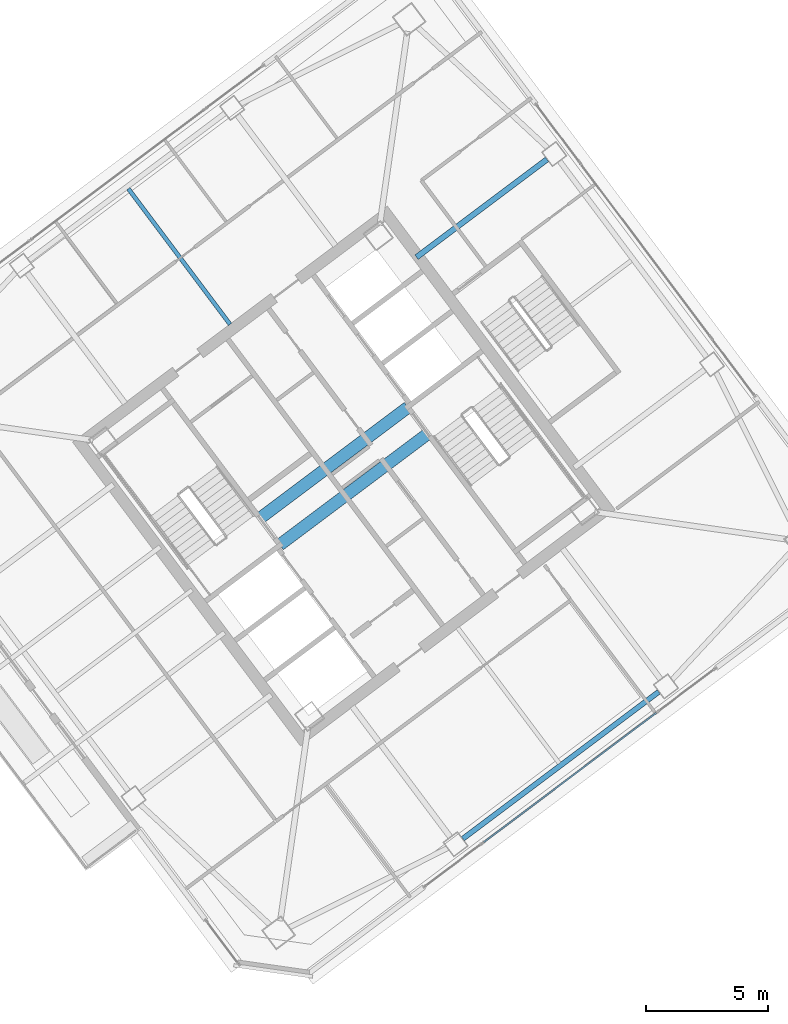
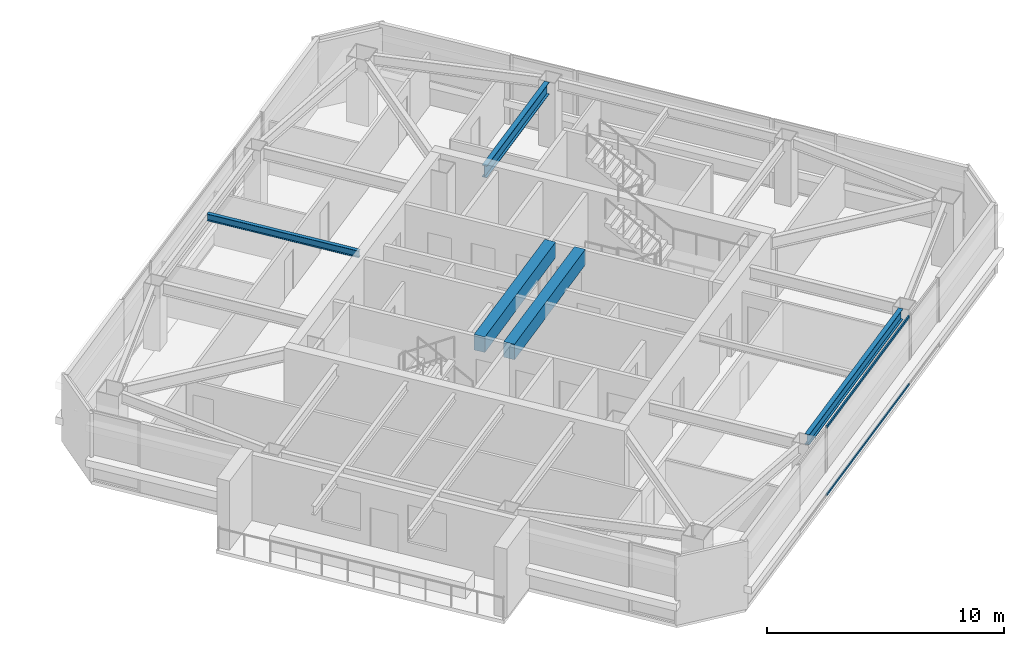
# One storey, part 22 of 40: 5 beams, 2 members, 1 element without a shape of its own.
"""IFC4 building model written with IfcOpenShell, lengths in metres."""

import ifcopenshell
import ifcopenshell.guid

model = None  # the IFC model being written
_history = None  # IfcOwnerHistory: only IFC2X3 demands one
_inside = {}  # id of a spatial element -> (the spatial element, [elements in it])
_under = {}  # id of a project, library or spatial element -> (it, [spatial elements below it])
_declared = {}  # id of a project -> (the project, [libraries it declares])
_typed = {}  # id of a type object -> (the type object, [elements of that type])
_made_of = {}  # id of a material, layer set ... -> (it, [elements and type objects made of it])


def new_model(schema):
    """Start an empty IFC model of exactly this schema.

    Asked for "IFC4X3", IfcOpenShell would pick the latest addendum, in which some entities
    have other attributes; the version numbers below select the first issue.
    IFC2X3 requires an IfcOwnerHistory on every rooted entity: one is made here for all.
    """
    global model, _history
    if schema == "IFC4X3":
        model = ifcopenshell.file(schema_version=(4, 3, 0, 0))
    else:
        model = ifcopenshell.file(schema=schema)
    _inside.clear()
    _under.clear()
    _declared.clear()
    _typed.clear()
    _made_of.clear()
    _history = None
    if model.schema == "IFC2X3":
        org = make("IfcOrganization", Name="unknown")
        user = make(
            "IfcPersonAndOrganization",
            ThePerson=make("IfcPerson", FamilyName="unknown"),
            TheOrganization=org,
        )
        app = make(
            "IfcApplication",
            ApplicationDeveloper=org,
            Version="unknown",
            ApplicationFullName="unknown",
            ApplicationIdentifier="unknown",
        )
        _history = make(
            "IfcOwnerHistory",
            OwningUser=user,
            OwningApplication=app,
            ChangeAction="ADDED",
            CreationDate=0,
        )
    return model


def make(cls, **values):
    """One entity of the class cls with the attributes given. An attribute that is None is left unset."""
    return model.create_entity(
        cls, **{name: value for name, value in values.items() if value is not None}
    )


def rooted(cls, **values):
    """An entity with a GlobalId (a new one), such as an element, a storey or a relation."""
    return make(cls, GlobalId=ifcopenshell.guid.new(), OwnerHistory=_history, **values)


def si_unit(unit_type, name, prefix=None):
    """IfcSIUnit, for example si_unit("LENGTHUNIT", "METRE", prefix="MILLI")."""
    return make("IfcSIUnit", UnitType=unit_type, Prefix=prefix, Name=name)


def assignment(units):
    """IfcUnitAssignment: the units of a project."""
    return None if units is None else make("IfcUnitAssignment", Units=units)


def point(xyz):
    """IfcCartesianPoint."""
    return None if xyz is None else make("IfcCartesianPoint", Coordinates=xyz)


def direction(xyz):
    """IfcDirection."""
    return None if xyz is None else make("IfcDirection", DirectionRatios=xyz)


def frame(location, z_axis=None, x_axis=None):
    """IfcAxis2Placement3D, a coordinate frame: its origin and axes. An axis left out is left unset."""
    return make(
        "IfcAxis2Placement3D",
        Location=point(location),
        Axis=direction(z_axis),
        RefDirection=direction(x_axis),
    )


def frame_2d(location, x_axis=None):
    """IfcAxis2Placement2D, a coordinate frame in the plane: its origin and x axis."""
    return make(
        "IfcAxis2Placement2D", Location=point(location), RefDirection=direction(x_axis)
    )


def origin():
    """The frame at (0, 0, 0) with its axes left unset."""
    return frame((0.0, 0.0, 0.0))


def origin_2d():
    """The frame at (0, 0) in the plane with its x axis left unset."""
    return frame_2d((0.0, 0.0))


def place(relative_to, where):
    """IfcLocalPlacement: puts the frame where relative to a parent placement (None: the world)."""
    return make(
        "IfcLocalPlacement", PlacementRelTo=relative_to, RelativePlacement=where
    )


def context(
    kind, dimensions, precision=None, world=None, true_north=None, identifier=None
):
    """IfcGeometricRepresentationContext, for example the 3D "Model" context."""
    return make(
        "IfcGeometricRepresentationContext",
        ContextIdentifier=identifier,
        ContextType=kind,
        CoordinateSpaceDimension=dimensions,
        Precision=precision,
        WorldCoordinateSystem=world,
        TrueNorth=true_north,
    )


def subcontext(parent, identifier, kind, view, scale=None):
    """IfcGeometricRepresentationSubContext, for example "Body" below "Model"."""
    return make(
        "IfcGeometricRepresentationSubContext",
        ContextIdentifier=identifier,
        ContextType=kind,
        ParentContext=parent,
        TargetScale=scale,
        TargetView=view,
    )


def project(units=None, contexts=None):
    """IfcProject with its units and contexts."""
    return rooted(
        "IfcProject",
        Name="project",
        RepresentationContexts=contexts,
        UnitsInContext=assignment(units),
    )


def spatial(cls, under=None, at=None, **own):
    """A site, building, storey or space (cls), placed at a placement, below another one or the project."""
    s = rooted(cls, ObjectPlacement=at, **own)
    if under is not None:
        _under.setdefault(under.id(), (under, []))[1].append(s)
    return s


def profile(cls, at=None, kind="AREA", **sizes):
    """A parametric profile (cls). Its sizes go by their IFC names, for example OverallWidth=200.0."""
    return make(cls, ProfileType=kind, Position=at, **sizes)


def rectangle(**sizes):
    """IfcRectangleProfileDef."""
    return profile("IfcRectangleProfileDef", **sizes)


def hollow_rectangle(**sizes):
    """IfcRectangleHollowProfileDef."""
    return profile("IfcRectangleHollowProfileDef", **sizes)


def i_section(**sizes):
    """IfcIShapeProfileDef."""
    return profile("IfcIShapeProfileDef", **sizes)


def extrude(swept, where, along, depth):
    """IfcExtrudedAreaSolid: the profile swept, set in the frame where, extruded along a direction by depth."""
    return make(
        "IfcExtrudedAreaSolid",
        SweptArea=swept,
        Position=where,
        ExtrudedDirection=direction(along),
        Depth=depth,
    )


def shape(context_of_items, identifier, shape_type, items):
    """IfcShapeRepresentation: the items that make up one representation, for example the "Body"."""
    return make(
        "IfcShapeRepresentation",
        ContextOfItems=context_of_items,
        RepresentationIdentifier=identifier,
        RepresentationType=shape_type,
        Items=items,
    )


def material(Name=None, Category=None):
    """IfcMaterial."""
    return make("IfcMaterial", Name=Name, Category=Category)


def material_profile(
    of_material, cross_section, Name=None, Category=None, Priority=None
):
    """IfcMaterialProfile: a cross section and its material."""
    return make(
        "IfcMaterialProfile",
        Name=Name,
        Material=of_material,
        Profile=cross_section,
        Priority=Priority,
        Category=Category,
    )


def profile_set(profiles, Name=None, composite=None):
    """IfcMaterialProfileSet."""
    return make(
        "IfcMaterialProfileSet",
        Name=Name,
        MaterialProfiles=profiles,
        CompositeProfile=composite,
    )


def made_of(thing, what):
    """Note that an element or type object is made of a material, layer set ...; save() writes the relation."""
    if what is not None:
        _made_of.setdefault(what.id(), (what, []))[1].append(thing)
    return thing


def type_object(cls, material=None, **own):
    """A type object (cls), such as IfcWallType, which elements share."""
    return made_of(rooted(cls, **own), material)


def element(
    cls,
    number,
    at=None,
    inside=None,
    cuts=None,
    type_object=None,
    material=None,
    context=None,
    identifier="Body",
    shape_type=None,
    held_by="IfcProductDefinitionShape",
    body=None,
    shapes=None,
    **own,
):
    """One element of the class cls, such as IfcWall. Its Tag is "e" and its number.

    at: its placement. inside: the storey or other place that contains it. cuts: it is an
    opening in that element (IfcRelVoidsElement). A single representation is given by context,
    identifier, shape_type and body (its items); several are given by shapes. held_by: the class
    of the entity that holds the representations. save() writes the other relations.
    """
    e = rooted(cls, Tag="e%d" % number, ObjectPlacement=at, **own)
    if body is not None:
        shapes = [shape(context, identifier, shape_type, body)]
    if shapes is not None:
        e.Representation = make(held_by, Representations=shapes)
    if inside is not None:
        _inside.setdefault(inside.id(), (inside, []))[1].append(e)
    if cuts is not None:
        rooted(
            "IfcRelVoidsElement", RelatingBuildingElement=cuts, RelatedOpeningElement=e
        )
    if type_object is not None:
        _typed.setdefault(type_object.id(), (type_object, []))[1].append(e)
    return made_of(e, material)


def aggregate(whole, parts):
    """IfcRelAggregates: a whole, such as a stair, and the parts it consists of."""
    return rooted("IfcRelAggregates", RelatingObject=whole, RelatedObjects=parts)


def save(model, path):
    """Write the relations noted so far, then the file.

    IfcRelAggregates (storeys below a building ...), IfcRelContainedInSpatialStructure (elements
    in a storey), IfcRelDefinesByType, IfcRelAssociatesMaterial and IfcRelDeclares: one each for
    every whole, place, type object, material and project.
    """
    for whole, parts in _under.values():
        aggregate(whole, parts)
    for where, things in _inside.values():
        rooted(
            "IfcRelContainedInSpatialStructure",
            RelatedElements=things,
            RelatingStructure=where,
        )
    for kind, things in _typed.values():
        rooted("IfcRelDefinesByType", RelatedObjects=things, RelatingType=kind)
    for what, things in _made_of.values():
        rooted("IfcRelAssociatesMaterial", RelatedObjects=things, RelatingMaterial=what)
    for by, libraries in _declared.values():
        rooted("IfcRelDeclares", RelatingContext=by, RelatedDefinitions=libraries)
    model.write(path)


model = new_model("IFC4")

# Units and contexts
model_context = context("Model", 3, precision=1e-05, world=origin(), true_north=direction((0.0, 1.0)))
body_context = subcontext(model_context, "Body", "Model", "MODEL_VIEW")
ifc_project = project(units=[si_unit("LENGTHUNIT", "METRE"), si_unit("AREAUNIT", "SQUARE_METRE"), si_unit("VOLUMEUNIT", "CUBIC_METRE"), si_unit("PLANEANGLEUNIT", "RADIAN"), si_unit("MASSUNIT", "GRAM", prefix="KILO")], contexts=[model_context])

# Site, building, storey
site_placement = place(None, origin())
site = spatial("IfcSite", under=ifc_project, at=site_placement, CompositionType="ELEMENT")
building_placement = place(site_placement, origin())
building = spatial("IfcBuilding", under=site, at=building_placement, Name="Tashvorn Skyway Center", CompositionType="ELEMENT")
storey_placement = place(building_placement, frame((0.0, 0.0, 221.949951171875)))
storey = spatial("IfcBuildingStorey", under=building, at=storey_placement, Name="L60", CompositionType="ELEMENT", Elevation=221.949951171875)

# Beams
ifc_material_1 = material(Name="Steel ASTM A992 Grade 50", Category="steel")
ifc_material_profile_1 = material_profile(ifc_material_1, i_section(OverallWidth=0.22998046875, OverallDepth=0.616943359375, WebThickness=0.01318359375, FlangeThickness=0.022216796875, at=origin_2d()), Name="W24X94")
ifc_profile_set_1 = profile_set([ifc_material_profile_1], Name="Steel ASTM A992 Grade 50")
beam_type_1 = type_object("IfcBeamType", Name="BM-BEAM-W24X94", PredefinedType="BEAM", material=ifc_profile_set_1)
beam_1_placement = place(storey_placement, frame((122.343994140625, 45.008056640625, 3.0615234375), z_axis=(-0.800004372583, -0.599994169845, 0.0), x_axis=(0.599994169845, -0.800004372583, 0.0)))
element("IfcBeam", 1, at=beam_1_placement, inside=storey, type_object=beam_type_1, Name="Tower 2 L60 Primary Floor Girder FC-E2", PredefinedType="BEAM", context=body_context, shape_type="SweptSolid", body=[
    extrude(i_section(OverallWidth=0.22998046875, OverallDepth=0.616943359375, WebThickness=0.01318359375, FlangeThickness=0.022216796875, at=origin_2d()), origin(), (0.0, 0.0, 1.0), 6.7001953125),
])
ifc_material_profile_2 = material_profile(ifc_material_1, i_section(OverallWidth=0.1708984375, OverallDepth=0.35498046875, WebThickness=0.007080078125, FlangeThickness=0.01171875, at=origin_2d()), Name="W14X34")
ifc_profile_set_2 = profile_set([ifc_material_profile_2], Name="Steel ASTM A992 Grade 50")
beam_type_2 = type_object("IfcBeamType", Name="BM-JOIST-W14X34", PredefinedType="JOIST", material=ifc_profile_set_2)
beam_2_placement = place(storey_placement, frame((109.325927734375, 38.23193359375, 3.192626953125), z_axis=(-0.599994389612, 0.800004207761, 0.0), x_axis=(-0.800004207761, -0.599994389612, 0.0)))
element("IfcBeam", 2, at=beam_2_placement, inside=storey, type_object=beam_type_2, Name="Tower 2 L60 Secondary Composite Joist JN", PredefinedType="JOIST", context=body_context, shape_type="SweptSolid", body=[
    extrude(i_section(OverallWidth=0.1708984375, OverallDepth=0.35498046875, WebThickness=0.007080078125, FlangeThickness=0.01171875, at=origin_2d()), origin(), (0.0, 0.0, 1.0), 6.962646484375),
])
ifc_material_2 = material(Name="Concrete C50/60", Category="concrete")
ifc_material_profile_3 = material_profile(ifc_material_2, rectangle(XDim=0.5, YDim=0.800048828125, at=origin_2d()), Name="RCB500x800")
ifc_profile_set_3 = profile_set([ifc_material_profile_3], Name="Concrete C50/60")
beam_type_3 = type_object("IfcBeamType", Name="BM-LINTEL-RCB500x800", PredefinedType="LINTEL", material=ifc_profile_set_3)
for number, where, z_axis, x_axis, name in (
    (3, (110.552001953125, 30.263916015625, 2.969970703125), (0.8, 0.6, 0.0), (-0.6, 0.8, 0.0), "Tower 2 L60 Core Coupling Beam CN"),
    (4, (111.367919921875, 29.176025390625, 2.969970703125), (0.8, 0.6, 0.0), (-0.6, 0.8, 0.0), "Tower 2 L60 Core Coupling Beam CS"),
):
    element("IfcBeam", number, at=place(storey_placement, frame(where, z_axis=z_axis, x_axis=x_axis)), inside=storey, type_object=beam_type_3, Name=name, PredefinedType="LINTEL", context=body_context, shape_type="SweptSolid", body=[
        extrude(rectangle(XDim=0.5, YDim=0.800048828125, at=origin_2d()), origin(), (0.0, 0.0, 1.0), 7.60009765625),
    ])
ifc_material_profile_4 = material_profile(ifc_material_1, i_section(OverallWidth=0.2109375, OverallDepth=0.5390625, WebThickness=0.01171875, FlangeThickness=0.018798828125, at=origin_2d()), Name="W21X73")
ifc_profile_set_4 = profile_set([ifc_material_profile_4], Name="Steel ASTM A992 Grade 50")
beam_type_4 = type_object("IfcBeamType", Name="BM-SPANDREL-W21X73", PredefinedType="SPANDREL", material=ifc_profile_set_4)
beam_3_placement = place(storey_placement, frame((118.885986328125, 17.10205078125, 3.1005859375), z_axis=(0.800008736549, 0.599988351091, 0.0), x_axis=(-0.599988351091, 0.800008736549, 0.0)))
element("IfcBeam", 5, at=beam_3_placement, inside=storey, type_object=beam_type_4, Name="Tower 2 L60 Spandrel Beam 02", PredefinedType="SPANDREL", context=body_context, shape_type="SweptSolid", body=[
    extrude(i_section(OverallWidth=0.2109375, OverallDepth=0.5390625, WebThickness=0.01171875, FlangeThickness=0.018798828125, at=origin_2d()), origin(), (0.0, 0.0, 1.0), 10.06005859375),
])

# Curtain wall, members
ifc_material_3 = material(Name="Thermally broken bronze-anodized aluminium 6063-T6", Category="aluminium")
curtain_wall_type = type_object("IfcCurtainWallType", Name="CW-CW-Z5", PredefinedType="NOTDEFINED", material=ifc_material_3)
curtain_wall_placement = place(storey_placement, origin())
curtain_wall = element("IfcCurtainWall", 6, at=curtain_wall_placement, inside=storey, type_object=curtain_wall_type, Name="Tower 2 L60 South Unitised Curtain Wall Glazing Group 2", PredefinedType="NOTDEFINED")
ifc_material_profile_5 = material_profile(ifc_material_3, hollow_rectangle(XDim=0.070068359375, YDim=0.114990234375, WallThickness=0.00390625, at=origin_2d()), Name="ALU-TRAN-70x115")
ifc_profile_set_5 = profile_set([ifc_material_profile_5], Name="Thermally broken bronze-anodized aluminium 6063-T6")
member_type = type_object("IfcMemberType", Name="CWT-CW-Z5", PredefinedType="USERDEFINED", material=ifc_profile_set_5)
member_1_placement = place(storey_placement, frame((126.82666015625, 22.27001953125, 0.03515625), z_axis=(-0.799996688401, -0.600004415441, 0.0), x_axis=(0.600004415441, -0.799996688401, 0.0)))
member_1 = element("IfcMember", 7, at=member_1_placement, type_object=member_type, Name="CW-Z5 transom 1.1", ObjectType="TRANSOM", PredefinedType="USERDEFINED", context=body_context, shape_type="SweptSolid", body=[
    extrude(hollow_rectangle(XDim=0.070068359375, YDim=0.114990234375, WallThickness=0.00390625, at=origin_2d()), origin(), (0.0, 0.0, 1.0), 8.8466796875),
])
member_2_placement = place(storey_placement, frame((126.82666015625, 22.27001953125, 3.51513671875), z_axis=(-0.799996688401, -0.600004415441, 0.0), x_axis=(0.600004415441, -0.799996688401, 0.0)))
member_2 = element("IfcMember", 8, at=member_2_placement, type_object=member_type, Name="CW-Z5 transom 1.2", ObjectType="TRANSOM", PredefinedType="USERDEFINED", context=body_context, shape_type="SweptSolid", body=[
    extrude(hollow_rectangle(XDim=0.070068359375, YDim=0.114990234375, WallThickness=0.00390625, at=origin_2d()), origin(), (0.0, 0.0, 1.0), 8.8466796875),
])
aggregate(curtain_wall, [member_1, member_2])

save(model, "model.ifc")
